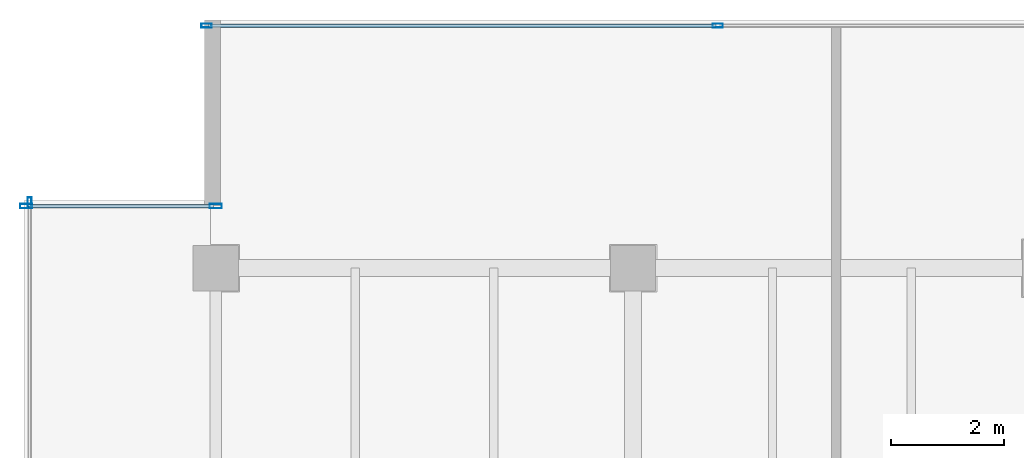
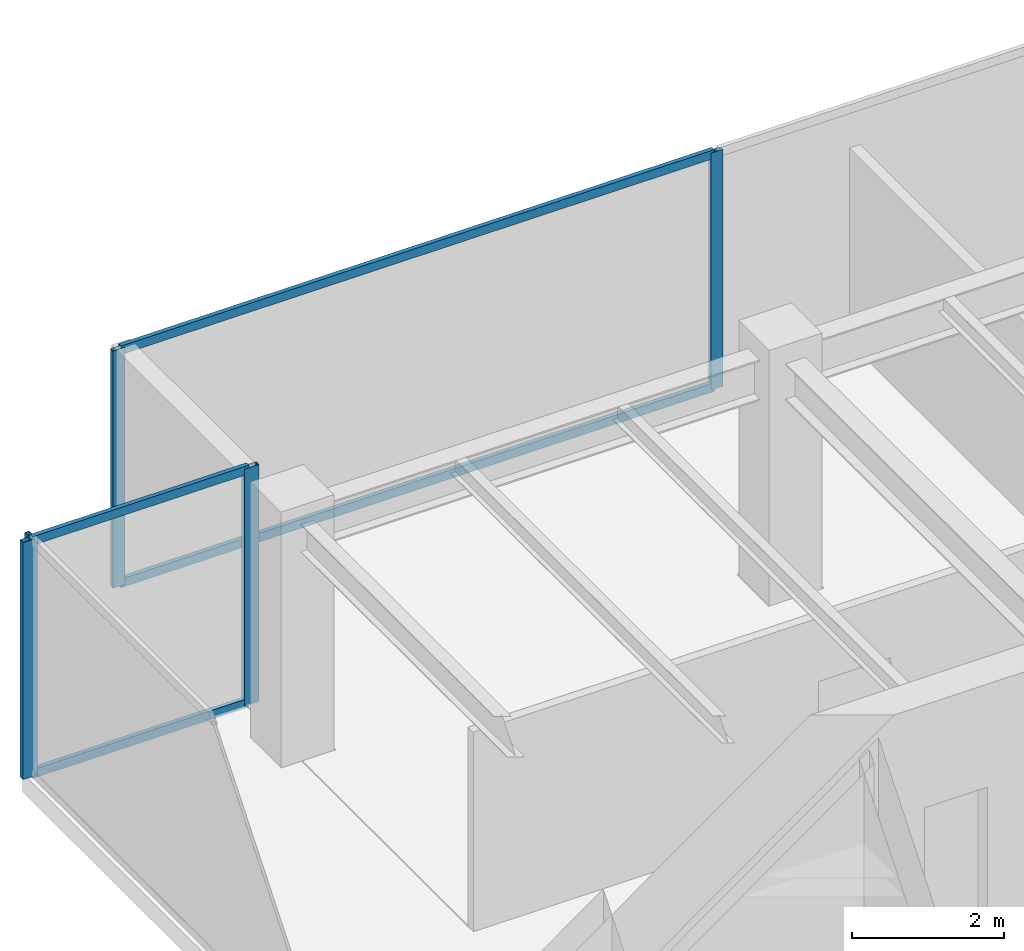
# One storey, part 15 of 35: 9 members, 3 elements without a shape of their own.
"""IFC4 building model written with IfcOpenShell, lengths in metres."""

from ifc_helpers import new_model, si_unit, direction, frame, origin, origin_2d, place, context, subcontext, project, spatial, hollow_rectangle, extrude, source, transform, mapped, material, layer, layer_set, material_profile, profile_set, type_object, type_shapes, element, aggregate, save


model = new_model("IFC4")

# Units and contexts
model_context = context("Model", 3, precision=1e-05, world=origin(), true_north=direction((0.0, 1.0)))
body_context = subcontext(model_context, "Body", "Model", "MODEL_VIEW")
ifc_project = project(units=[si_unit("LENGTHUNIT", "METRE"), si_unit("AREAUNIT", "SQUARE_METRE"), si_unit("VOLUMEUNIT", "CUBIC_METRE"), si_unit("PLANEANGLEUNIT", "RADIAN"), si_unit("MASSUNIT", "GRAM", prefix="KILO")], contexts=[model_context])

# Site, building, storey
site_placement = place(None, origin())
site = spatial("IfcSite", under=ifc_project, at=site_placement, CompositionType="ELEMENT")
building_placement = place(site_placement, origin())
building = spatial("IfcBuilding", under=site, at=building_placement, Name="Haelvirn Gate Laboratories", CompositionType="ELEMENT")
storey_placement = place(building_placement, frame((0.0, 0.0, 226.0)))
storey = spatial("IfcBuildingStorey", under=building, at=storey_placement, Name="L54", CompositionType="ELEMENT", Elevation=226.0)

# Curtain wall, members
ifc_material_1 = material(Name="Anodised bronze unitised aluminium & triple low-E glass", Category="aluminium")
ifc_layer_1 = layer(ifc_material_1, 0.181884765625, Name="CW-SYS-5")
ifc_layer_set_1 = layer_set([ifc_layer_1], Name="Anodised bronze unitised aluminium & triple low-E glass")
curtain_wall_type_1 = type_object("IfcCurtainWallType", Name="CW-SYS-5", PredefinedType="NOTDEFINED", material=ifc_layer_set_1)
curtain_wall_1_placement = place(storey_placement, origin())
curtain_wall_1 = element("IfcCurtainWall", 1, at=curtain_wall_1_placement, inside=storey, type_object=curtain_wall_type_1, Name="L54 Unitised Curtain Wall CW-L54-P0-E16-1", PredefinedType="NOTDEFINED")
ifc_material_2 = material(Name="Extruded aluminium 6063-T6 (anodised bronze)", Category="aluminium")
ifc_material_profile_1 = material_profile(ifc_material_2, hollow_rectangle(XDim=0.06494140625, YDim=0.139892578125, WallThickness=0.00390625, at=origin_2d()), Name="CWT-140x65x4")
ifc_profile_set_1 = profile_set([ifc_material_profile_1], Name="Extruded aluminium 6063-T6 (anodised bronze)")
member_type_1 = type_object("IfcMemberType", Name="CWT-T140", PredefinedType="USERDEFINED", material=ifc_profile_set_1)
shared_shape_1 = source(origin(), body_context, "Body", "SweptSolid", [
    extrude(hollow_rectangle(XDim=0.06494140625, YDim=0.139892578125, WallThickness=0.00390625, at=origin_2d()), origin(), (0.0, 0.0, 1.0), 3.280029296875),
])
member_1_placement = place(storey_placement, frame((4.080078125, 42.699951171875, 0.032470703125), z_axis=(1.0, 0.0, 0.0), x_axis=(0.0, 1.0, 0.0)))
member_1 = element("IfcMember", 2, at=member_1_placement, type_object=member_type_1, Name="CW5 transom 1.1", ObjectType="TRANSOM", PredefinedType="USERDEFINED", context=body_context, shape_type="MappedRepresentation", body=[
    mapped(shared_shape_1, transform((0.0, 0.0, 0.0), scale=1.0)),
])
member_2_placement = place(storey_placement, frame((4.080078125, 42.699951171875, 3.767578125), z_axis=(1.0, 0.0, 0.0), x_axis=(0.0, 1.0, 0.0)))
member_2 = element("IfcMember", 3, at=member_2_placement, type_object=member_type_1, Name="CW5 transom 1.2", ObjectType="TRANSOM", PredefinedType="USERDEFINED", context=body_context, shape_type="MappedRepresentation", body=[
    mapped(shared_shape_1, transform((0.0, 0.0, 0.0), scale=1.0)),
])

ifc_layer_2 = layer(ifc_material_1, 0.176025390625, Name="CW-SYS-4")
ifc_layer_set_2 = layer_set([ifc_layer_2], Name="Anodised bronze unitised aluminium & triple low-E glass")
curtain_wall_type_2 = type_object("IfcCurtainWallType", Name="CW-SYS-4", PredefinedType="NOTDEFINED", material=ifc_layer_set_2)
curtain_wall_2_placement = place(storey_placement, origin())
curtain_wall_2 = element("IfcCurtainWall", 4, at=curtain_wall_2_placement, inside=storey, type_object=curtain_wall_type_2, Name="L54 Unitised Curtain Wall CW-L54-P0-E14-1", PredefinedType="NOTDEFINED")
ifc_material_profile_2 = material_profile(ifc_material_2, hollow_rectangle(XDim=0.070068359375, YDim=0.179931640625, WallThickness=0.0048828125, at=origin_2d()), Name="CWM-180x70x5")
ifc_profile_set_2 = profile_set([ifc_material_profile_2], Name="Extruded aluminium 6063-T6 (anodised bronze)")
member_type_2 = type_object("IfcMemberType", Name="CWM-T180", PredefinedType="MULLION", material=ifc_profile_set_2)
shared_shape_2 = source(origin(), body_context, "Body", "SweptSolid", [
    extrude(hollow_rectangle(XDim=0.070068359375, YDim=0.179931640625, WallThickness=0.0048828125, at=origin_2d()), origin(), (0.0, 0.0, 1.0), 3.800048828125),
])
type_shapes(member_type_2, [shared_shape_2])
member_3_placement = place(storey_placement, frame((7.235107421875, 45.89990234375, 0.0), z_axis=(0.0, 0.0, 1.0), x_axis=(0.0, 1.0, 0.0)))
member_3 = element("IfcMember", 5, at=member_3_placement, type_object=member_type_2, Name="CW4 mullion 1", PredefinedType="MULLION", context=body_context, shape_type="MappedRepresentation", body=[
    mapped(shared_shape_2, transform((0.0, 0.0, 0.0), scale=1.0)),
])
member_4_placement = place(storey_placement, frame((16.300048828125, 45.89990234375, 0.0), z_axis=(0.0, 0.0, 1.0), x_axis=(0.0, 1.0, 0.0)))
member_4 = element("IfcMember", 6, at=member_4_placement, type_object=member_type_2, Name="CW4 mullion 2", PredefinedType="MULLION", context=body_context, shape_type="MappedRepresentation", body=[
    mapped(shared_shape_2, transform((0.0, 0.0, 0.0), scale=1.0)),
])

# Curtain wall, member
curtain_wall_3_placement = place(storey_placement, origin())
curtain_wall_3 = element("IfcCurtainWall", 7, at=curtain_wall_3_placement, inside=storey, type_object=curtain_wall_type_2, Name="L54 Unitised Curtain Wall CW-L54-P0-E17", PredefinedType="NOTDEFINED")
member_5_placement = place(storey_placement, frame((4.10009765625, 42.764892578125, 0.0), z_axis=(0.0, 0.0, 1.0), x_axis=(1.0, 0.0, 0.0)))
member_5 = element("IfcMember", 8, at=member_5_placement, type_object=member_type_2, Name="CW4 mullion 1", PredefinedType="MULLION", context=body_context, shape_type="MappedRepresentation", body=[
    mapped(shared_shape_2, transform((0.0, 0.0, 0.0), scale=1.0)),
])
aggregate(curtain_wall_3, [member_5])

# Member
shared_shape_3 = source(origin(), body_context, "Body", "SweptSolid", [
    extrude(hollow_rectangle(XDim=0.06494140625, YDim=0.139892578125, WallThickness=0.00390625, at=origin_2d()), origin(), (0.0, 0.0, 1.0), 8.994873046875),
])
type_shapes(member_type_1, [shared_shape_1, shared_shape_3])
member_6_placement = place(storey_placement, frame((7.27001953125, 45.89990234375, 0.032470703125), z_axis=(1.0, 0.0, 0.0), x_axis=(0.0, 1.0, 0.0)))
member_6 = element("IfcMember", 9, at=member_6_placement, type_object=member_type_1, Name="CW4 transom 1.1", ObjectType="TRANSOM", PredefinedType="USERDEFINED", context=body_context, shape_type="MappedRepresentation", body=[
    mapped(shared_shape_3, transform((0.0, 0.0, 0.0), scale=1.0)),
])

member_7_placement = place(storey_placement, frame((7.27001953125, 45.89990234375, 3.767578125), z_axis=(1.0, 0.0, 0.0), x_axis=(0.0, 1.0, 0.0)))
member_7 = element("IfcMember", 10, at=member_7_placement, type_object=member_type_1, Name="CW4 transom 1.2", ObjectType="TRANSOM", PredefinedType="USERDEFINED", context=body_context, shape_type="MappedRepresentation", body=[
    mapped(shared_shape_3, transform((0.0, 0.0, 0.0), scale=1.0)),
])

aggregate(curtain_wall_2, [member_3, member_4, member_6, member_7])

ifc_material_profile_3 = material_profile(ifc_material_2, hollow_rectangle(XDim=0.080078125, YDim=0.219970703125, WallThickness=0.006103515625, at=origin_2d()), Name="CWM-220x80x6")
ifc_profile_set_3 = profile_set([ifc_material_profile_3], Name="Extruded aluminium 6063-T6 (anodised bronze)")
member_type_3 = type_object("IfcMemberType", Name="CWM-T220", PredefinedType="MULLION", material=ifc_profile_set_3)
shared_shape_4 = source(origin(), body_context, "Body", "SweptSolid", [
    extrude(hollow_rectangle(XDim=0.080078125, YDim=0.219970703125, WallThickness=0.006103515625, at=origin_2d()), origin(), (0.0, 0.0, 1.0), 3.800048828125),
])
type_shapes(member_type_3, [shared_shape_4])
member_8_placement = place(storey_placement, frame((4.0400390625, 42.699951171875, 0.0), z_axis=(0.0, 0.0, 1.0), x_axis=(0.0, 1.0, 0.0)))
member_8 = element("IfcMember", 11, at=member_8_placement, type_object=member_type_3, Name="CW5 mullion 1", PredefinedType="MULLION", context=body_context, shape_type="MappedRepresentation", body=[
    mapped(shared_shape_4, transform((0.0, 0.0, 0.0), scale=1.0)),
])

member_9_placement = place(storey_placement, frame((7.39990234375, 42.699951171875, 0.0), z_axis=(0.0, 0.0, 1.0), x_axis=(0.0, 1.0, 0.0)))
member_9 = element("IfcMember", 12, at=member_9_placement, type_object=member_type_3, Name="CW5 mullion 2", PredefinedType="MULLION", context=body_context, shape_type="MappedRepresentation", body=[
    mapped(shared_shape_4, transform((0.0, 0.0, 0.0), scale=1.0)),
])

aggregate(curtain_wall_1, [member_8, member_9, member_1, member_2])

save(model, "model.ifc")
